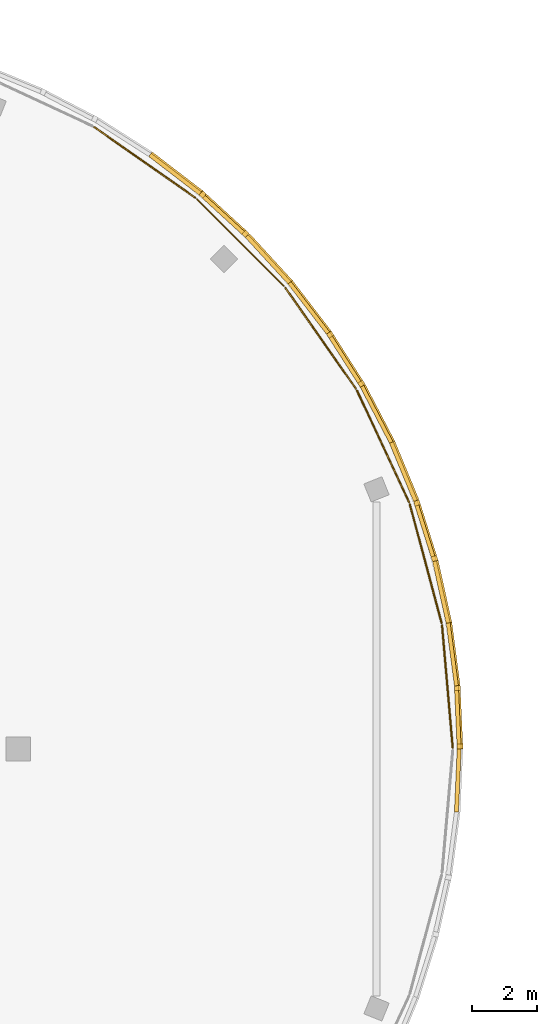
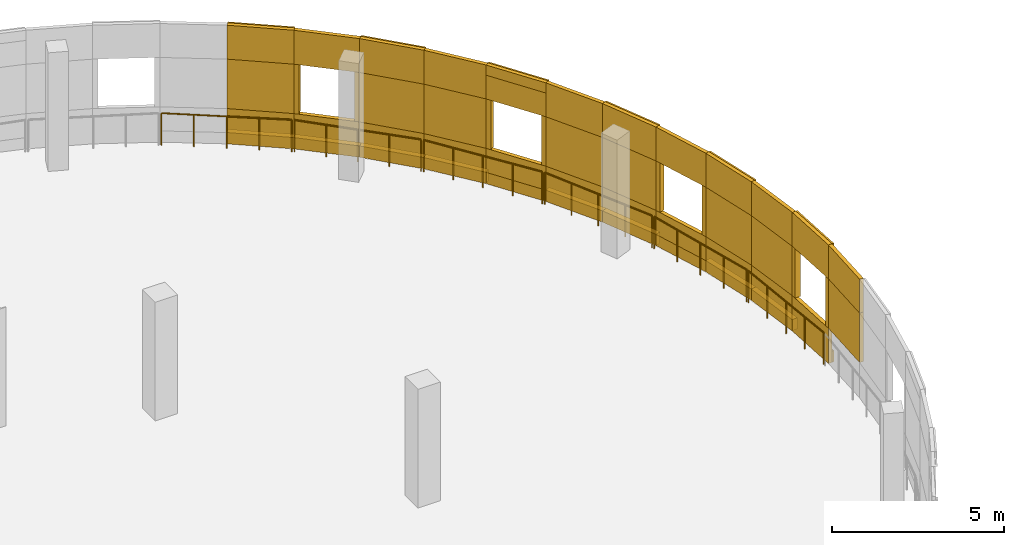
# One storey, part 131 of 132: 56 coverings, 6 railings.
"""IFC4 building model written with IfcOpenShell, lengths in metres."""

from ifc_helpers import new_model, si_unit, direction, frame, origin, origin_2d, place, context, subcontext, project, spatial, rectangle, circle, extrude, material, layer, layer_set, type_object, element, save


model = new_model("IFC4")

# Units and contexts
model_context = context("Model", 3, precision=1e-05, world=origin(), true_north=direction((0.0, 1.0)))
body_context = subcontext(model_context, "Body", "Model", "MODEL_VIEW")
ifc_project = project(units=[si_unit("LENGTHUNIT", "METRE"), si_unit("AREAUNIT", "SQUARE_METRE"), si_unit("VOLUMEUNIT", "CUBIC_METRE"), si_unit("PLANEANGLEUNIT", "RADIAN"), si_unit("MASSUNIT", "GRAM", prefix="KILO")], contexts=[model_context])

# Site, building, storey
site_placement = place(None, origin())
site = spatial("IfcSite", under=ifc_project, at=site_placement, CompositionType="ELEMENT")
building_placement = place(site_placement, origin())
building = spatial("IfcBuilding", under=site, at=building_placement, Name="Deido Ridge Mobility Hub", CompositionType="ELEMENT")
storey_placement = place(building_placement, frame((0.0, 0.0, 8.39990234375)))
storey = spatial("IfcBuildingStorey", under=building, at=storey_placement, Name="L02", CompositionType="ELEMENT", Elevation=8.39990234375)

# Coverings
ifc_material_1 = material(Name="Fired clay brick masonry", Category="masonry")
ifc_layer = layer(ifc_material_1, 0.114990234375, Name="Fired clay brick masonry")
ifc_layer_set = layer_set([ifc_layer], Name="Fired clay brick masonry")
covering_type = type_object("IfcCoveringType", Name="COV-BRK-SCREEN-115", PredefinedType="CLADDING", material=ifc_layer_set)
covering_1_placement = place(storey_placement, frame((139.40478515625, 102.521728515625, 3.0), z_axis=(0.0, 0.0, 1.0), x_axis=(0.043601950678, 0.999048982732, 0.0)))
element("IfcCovering", 1, at=covering_1_placement, inside=storey, type_object=covering_type, Name="Open brickwork lintel course BKS1 (L02)", PredefinedType="CLADDING", context=body_context, shape_type="SweptSolid", body=[
    extrude(rectangle(XDim=1.9619140625, YDim=0.125, at=origin_2d()), origin(), (0.0, 0.0, 1.0), 1.199951171875),
])
covering_2_placement = place(storey_placement, frame((139.40478515625, 102.521728515625, 1.25), z_axis=(0.0, 0.0, 1.0), x_axis=(0.043601950678, 0.999048982732, 0.0)))
element("IfcCovering", 2, at=covering_2_placement, inside=storey, type_object=covering_type, Name="Curved raised brickwork pier BKS1 (L02)", PredefinedType="CLADDING", context=body_context, shape_type="SweptSolid", body=[
    extrude(rectangle(XDim=1.9619140625, YDim=0.125, at=origin_2d()), origin(), (0.0, 0.0, 1.0), 1.75),
])
covering_3_placement = place(storey_placement, frame((139.40478515625, 104.478271484375, 0.0), z_axis=(0.0, 0.0, 1.0), x_axis=(-0.043601950678, 0.999048982732, 0.0)))
element("IfcCovering", 3, at=covering_3_placement, inside=storey, type_object=covering_type, Name="Open brickwork spandrel course BKS1 (L02)", PredefinedType="CLADDING", context=body_context, shape_type="SweptSolid", body=[
    extrude(rectangle(XDim=1.9619140625, YDim=0.125, at=origin_2d()), origin(), (0.0, 0.0, 1.0), 1.25),
])
covering_4_placement = place(storey_placement, frame((139.432373046875, 104.4794921875, 0.000244140625), z_axis=(0.0, 0.0, 1.0), x_axis=(-0.043601950678, 0.999048982732, 0.0)))
element("IfcCovering", 4, at=covering_4_placement, inside=storey, type_object=covering_type, Name="Raised brick relief belt BKS1 (L02)", PredefinedType="CLADDING", context=body_context, shape_type="SweptSolid", body=[
    extrude(rectangle(XDim=1.9619140625, YDim=0.179931640625, at=origin_2d()), origin(), (0.0, 0.0, 1.0), 0.39990234375),
])
covering_5_placement = place(storey_placement, frame((139.40478515625, 104.478271484375, 3.0), z_axis=(0.0, 0.0, 1.0), x_axis=(-0.043601950678, 0.999048982732, 0.0)))
element("IfcCovering", 5, at=covering_5_placement, inside=storey, type_object=covering_type, Name="Open brickwork lintel course BKS1 (L02)", PredefinedType="CLADDING", context=body_context, shape_type="SweptSolid", body=[
    extrude(rectangle(XDim=1.9619140625, YDim=0.125, at=origin_2d()), origin(), (0.0, 0.0, 1.0), 1.199951171875),
])
covering_6_placement = place(storey_placement, frame((139.432373046875, 104.4794921875, 3.83984375), z_axis=(0.0, 0.0, 1.0), x_axis=(-0.043601950678, 0.999048982732, 0.0)))
element("IfcCovering", 6, at=covering_6_placement, inside=storey, type_object=covering_type, Name="Raised brick relief cornice BKS1 (L02)", PredefinedType="CLADDING", context=body_context, shape_type="SweptSolid", body=[
    extrude(rectangle(XDim=1.9619140625, YDim=0.179931640625, at=origin_2d()), origin(), (0.0, 0.0, 1.0), 0.360107421875),
])
for number, where, z_axis, x_axis, name in (
    (7, (139.4716796875, 103.5791015625, 1.25), (0.0, 0.0, 1.0), (-0.043601950678, 0.999048982732, 0.0), "Curved brick jamb nib BKS1 (L02)"),
    (8, (139.39306640625, 105.379638671875, 1.25), (0.0, 0.0, 1.0), (-0.043601950678, 0.999048982732, 0.0), "Curved brick jamb nib BKS1 (L02)"),
):
    element("IfcCovering", number, at=place(storey_placement, frame(where, z_axis=z_axis, x_axis=x_axis)), inside=storey, type_object=covering_type, Name=name, PredefinedType="CLADDING", context=body_context, shape_type="SweptSolid", body=[
        extrude(rectangle(XDim=0.152099609375, YDim=0.179931640625, at=origin_2d()), origin(), (0.0, 0.0, 1.0), 1.75),
    ])
covering_7_placement = place(storey_placement, frame((139.234375, 106.42724609375, 0.0), z_axis=(0.0, 0.0, 1.0), x_axis=(-0.130543496177, 0.991442583111, 0.0)))
element("IfcCovering", 9, at=covering_7_placement, inside=storey, type_object=covering_type, Name="Open brickwork spandrel course BKS1 (L02)", PredefinedType="CLADDING", context=body_context, shape_type="SweptSolid", body=[
    extrude(rectangle(XDim=1.9619140625, YDim=0.125, at=origin_2d()), origin(), (0.0, 0.0, 1.0), 1.25),
])
covering_8_placement = place(storey_placement, frame((139.26171875, 106.430908203125, 0.000244140625), z_axis=(0.0, 0.0, 1.0), x_axis=(-0.130543496177, 0.991442583111, 0.0)))
element("IfcCovering", 10, at=covering_8_placement, inside=storey, type_object=covering_type, Name="Raised brick relief belt BKS1 (L02)", PredefinedType="CLADDING", context=body_context, shape_type="SweptSolid", body=[
    extrude(rectangle(XDim=1.9619140625, YDim=0.179931640625, at=origin_2d()), origin(), (0.0, 0.0, 1.0), 0.39990234375),
])
covering_9_placement = place(storey_placement, frame((139.234375, 106.42724609375, 3.0), z_axis=(0.0, 0.0, 1.0), x_axis=(-0.130543496177, 0.991442583111, 0.0)))
element("IfcCovering", 11, at=covering_9_placement, inside=storey, type_object=covering_type, Name="Open brickwork lintel course BKS1 (L02)", PredefinedType="CLADDING", context=body_context, shape_type="SweptSolid", body=[
    extrude(rectangle(XDim=1.9619140625, YDim=0.125, at=origin_2d()), origin(), (0.0, 0.0, 1.0), 1.199951171875),
])
covering_10_placement = place(storey_placement, frame((139.234375, 106.42724609375, 1.25), z_axis=(0.0, 0.0, 1.0), x_axis=(-0.130543496177, 0.991442583111, 0.0)))
element("IfcCovering", 12, at=covering_10_placement, inside=storey, type_object=covering_type, Name="Curved raised brickwork pier BKS1 (L02)", PredefinedType="CLADDING", context=body_context, shape_type="SweptSolid", body=[
    extrude(rectangle(XDim=1.9619140625, YDim=0.125, at=origin_2d()), origin(), (0.0, 0.0, 1.0), 1.75),
])
covering_11_placement = place(storey_placement, frame((138.89453125, 108.35400390625, 0.0), z_axis=(0.0, 0.0, 1.0), x_axis=(-0.216456653485, 0.976292229387, 0.0)))
element("IfcCovering", 13, at=covering_11_placement, inside=storey, type_object=covering_type, Name="Open brickwork spandrel course BKS1 (L02)", PredefinedType="CLADDING", context=body_context, shape_type="SweptSolid", body=[
    extrude(rectangle(XDim=1.9619140625, YDim=0.125, at=origin_2d()), origin(), (0.0, 0.0, 1.0), 1.25),
])
covering_12_placement = place(storey_placement, frame((138.92138671875, 108.35986328125, 0.000244140625), z_axis=(0.0, 0.0, 1.0), x_axis=(-0.216456653485, 0.976292229387, 0.0)))
element("IfcCovering", 14, at=covering_12_placement, inside=storey, type_object=covering_type, Name="Raised brick relief belt BKS1 (L02)", PredefinedType="CLADDING", context=body_context, shape_type="SweptSolid", body=[
    extrude(rectangle(XDim=1.9619140625, YDim=0.179931640625, at=origin_2d()), origin(), (0.0, 0.0, 1.0), 0.39990234375),
])
covering_13_placement = place(storey_placement, frame((138.89453125, 108.35400390625, 3.0), z_axis=(0.0, 0.0, 1.0), x_axis=(-0.216456653485, 0.976292229387, 0.0)))
element("IfcCovering", 15, at=covering_13_placement, inside=storey, type_object=covering_type, Name="Open brickwork lintel course BKS1 (L02)", PredefinedType="CLADDING", context=body_context, shape_type="SweptSolid", body=[
    extrude(rectangle(XDim=1.9619140625, YDim=0.125, at=origin_2d()), origin(), (0.0, 0.0, 1.0), 1.199951171875),
])
covering_14_placement = place(storey_placement, frame((138.92138671875, 108.35986328125, 3.83984375), z_axis=(0.0, 0.0, 1.0), x_axis=(-0.216456653485, 0.976292229387, 0.0)))
element("IfcCovering", 16, at=covering_14_placement, inside=storey, type_object=covering_type, Name="Raised brick relief cornice BKS1 (L02)", PredefinedType="CLADDING", context=body_context, shape_type="SweptSolid", body=[
    extrude(rectangle(XDim=1.9619140625, YDim=0.179931640625, at=origin_2d()), origin(), (0.0, 0.0, 1.0), 0.360107421875),
])
covering_15_placement = place(storey_placement, frame((138.92138671875, 108.35986328125, 1.25), z_axis=(0.0, 0.0, 1.0), x_axis=(-0.216456653485, 0.976292229387, 0.0)))
element("IfcCovering", 17, at=covering_15_placement, inside=storey, type_object=covering_type, Name="Curved raised brickwork pier BKS1 (L02)", PredefinedType="CLADDING", context=body_context, shape_type="SweptSolid", body=[
    extrude(rectangle(XDim=1.9619140625, YDim=0.179931640625, at=origin_2d()), origin(), (0.0, 0.0, 1.0), 1.75),
])
covering_16_placement = place(storey_placement, frame((138.38818359375, 110.24365234375, 0.0), z_axis=(0.0, 0.0, 1.0), x_axis=(-0.300672508319, 0.95372744678, 0.0)))
element("IfcCovering", 18, at=covering_16_placement, inside=storey, type_object=covering_type, Name="Open brickwork spandrel course BKS1 (L02)", PredefinedType="CLADDING", context=body_context, shape_type="SweptSolid", body=[
    extrude(rectangle(XDim=1.9619140625, YDim=0.125, at=origin_2d()), origin(), (0.0, 0.0, 1.0), 1.25),
])
covering_17_placement = place(storey_placement, frame((138.414306640625, 110.251953125, 0.000244140625), z_axis=(0.0, 0.0, 1.0), x_axis=(-0.300672508319, 0.95372744678, 0.0)))
element("IfcCovering", 19, at=covering_17_placement, inside=storey, type_object=covering_type, Name="Raised brick relief belt BKS1 (L02)", PredefinedType="CLADDING", context=body_context, shape_type="SweptSolid", body=[
    extrude(rectangle(XDim=1.9619140625, YDim=0.179931640625, at=origin_2d()), origin(), (0.0, 0.0, 1.0), 0.39990234375),
])
covering_18_placement = place(storey_placement, frame((138.38818359375, 110.24365234375, 3.0), z_axis=(0.0, 0.0, 1.0), x_axis=(-0.300672508319, 0.95372744678, 0.0)))
element("IfcCovering", 20, at=covering_18_placement, inside=storey, type_object=covering_type, Name="Open brickwork lintel course BKS1 (L02)", PredefinedType="CLADDING", context=body_context, shape_type="SweptSolid", body=[
    extrude(rectangle(XDim=1.9619140625, YDim=0.125, at=origin_2d()), origin(), (0.0, 0.0, 1.0), 1.199951171875),
])
for number, where, z_axis, x_axis, name in (
    (21, (138.685302734375, 109.392578125, 1.25), (0.0, 0.0, 1.0), (-0.300672508319, 0.95372744678, 0.0), "Curved brick jamb nib BKS1 (L02)"),
    (22, (138.1435546875, 111.111328125, 1.25), (0.0, 0.0, 1.0), (-0.300672508319, 0.95372744678, 0.0), "Curved brick jamb nib BKS1 (L02)"),
):
    element("IfcCovering", number, at=place(storey_placement, frame(where, z_axis=z_axis, x_axis=x_axis)), inside=storey, type_object=covering_type, Name=name, PredefinedType="CLADDING", context=body_context, shape_type="SweptSolid", body=[
        extrude(rectangle(XDim=0.152099609375, YDim=0.179931640625, at=origin_2d()), origin(), (0.0, 0.0, 1.0), 1.75),
    ])
covering_19_placement = place(storey_placement, frame((137.718994140625, 112.08203125, 0.0), z_axis=(0.0, 0.0, 1.0), x_axis=(-0.382699557047, 0.923872853285, 0.0)))
element("IfcCovering", 23, at=covering_19_placement, inside=storey, type_object=covering_type, Name="Open brickwork spandrel course BKS1 (L02)", PredefinedType="CLADDING", context=body_context, shape_type="SweptSolid", body=[
    extrude(rectangle(XDim=1.9619140625, YDim=0.125, at=origin_2d()), origin(), (0.0, 0.0, 1.0), 1.25),
])
covering_20_placement = place(storey_placement, frame((137.744384765625, 112.0927734375, 0.000244140625), z_axis=(0.0, 0.0, 1.0), x_axis=(-0.382699557047, 0.923872853285, 0.0)))
element("IfcCovering", 24, at=covering_20_placement, inside=storey, type_object=covering_type, Name="Raised brick relief belt BKS1 (L02)", PredefinedType="CLADDING", context=body_context, shape_type="SweptSolid", body=[
    extrude(rectangle(XDim=1.9619140625, YDim=0.179931640625, at=origin_2d()), origin(), (0.0, 0.0, 1.0), 0.39990234375),
])
covering_21_placement = place(storey_placement, frame((137.718994140625, 112.08203125, 3.0), z_axis=(0.0, 0.0, 1.0), x_axis=(-0.382699557047, 0.923872853285, 0.0)))
element("IfcCovering", 25, at=covering_21_placement, inside=storey, type_object=covering_type, Name="Open brickwork lintel course BKS1 (L02)", PredefinedType="CLADDING", context=body_context, shape_type="SweptSolid", body=[
    extrude(rectangle(XDim=1.9619140625, YDim=0.125, at=origin_2d()), origin(), (0.0, 0.0, 1.0), 1.199951171875),
])
covering_22_placement = place(storey_placement, frame((137.744384765625, 112.0927734375, 3.83984375), z_axis=(0.0, 0.0, 1.0), x_axis=(-0.382699557047, 0.923872853285, 0.0)))
element("IfcCovering", 26, at=covering_22_placement, inside=storey, type_object=covering_type, Name="Raised brick relief cornice BKS1 (L02)", PredefinedType="CLADDING", context=body_context, shape_type="SweptSolid", body=[
    extrude(rectangle(XDim=1.9619140625, YDim=0.179931640625, at=origin_2d()), origin(), (0.0, 0.0, 1.0), 0.360107421875),
])
covering_23_placement = place(storey_placement, frame((137.744384765625, 112.0927734375, 1.25), z_axis=(0.0, 0.0, 1.0), x_axis=(-0.382699557047, 0.923872853285, 0.0)))
element("IfcCovering", 27, at=covering_23_placement, inside=storey, type_object=covering_type, Name="Curved raised brickwork pier BKS1 (L02)", PredefinedType="CLADDING", context=body_context, shape_type="SweptSolid", body=[
    extrude(rectangle(XDim=1.9619140625, YDim=0.179931640625, at=origin_2d()), origin(), (0.0, 0.0, 1.0), 1.75),
])
covering_24_placement = place(storey_placement, frame((136.892333984375, 113.855224609375, 0.0), z_axis=(0.0, 0.0, 1.0), x_axis=(-0.461733131905, 0.887018892077, 0.0)))
element("IfcCovering", 28, at=covering_24_placement, inside=storey, type_object=covering_type, Name="Open brickwork spandrel course BKS1 (L02)", PredefinedType="CLADDING", context=body_context, shape_type="SweptSolid", body=[
    extrude(rectangle(XDim=1.9619140625, YDim=0.125, at=origin_2d()), origin(), (0.0, 0.0, 1.0), 1.25),
])
covering_25_placement = place(storey_placement, frame((136.916748046875, 113.867919921875, 0.000244140625), z_axis=(0.0, 0.0, 1.0), x_axis=(-0.461733131905, 0.887018892077, 0.0)))
element("IfcCovering", 29, at=covering_25_placement, inside=storey, type_object=covering_type, Name="Raised brick relief belt BKS1 (L02)", PredefinedType="CLADDING", context=body_context, shape_type="SweptSolid", body=[
    extrude(rectangle(XDim=1.9619140625, YDim=0.179931640625, at=origin_2d()), origin(), (0.0, 0.0, 1.0), 0.39990234375),
])
covering_26_placement = place(storey_placement, frame((136.892333984375, 113.855224609375, 3.0), z_axis=(0.0, 0.0, 1.0), x_axis=(-0.461733131905, 0.887018892077, 0.0)))
element("IfcCovering", 30, at=covering_26_placement, inside=storey, type_object=covering_type, Name="Open brickwork lintel course BKS1 (L02)", PredefinedType="CLADDING", context=body_context, shape_type="SweptSolid", body=[
    extrude(rectangle(XDim=1.9619140625, YDim=0.125, at=origin_2d()), origin(), (0.0, 0.0, 1.0), 1.199951171875),
])
covering_27_placement = place(storey_placement, frame((136.892333984375, 113.855224609375, 1.25), z_axis=(0.0, 0.0, 1.0), x_axis=(-0.461733131905, 0.887018892077, 0.0)))
element("IfcCovering", 31, at=covering_27_placement, inside=storey, type_object=covering_type, Name="Curved raised brickwork pier BKS1 (L02)", PredefinedType="CLADDING", context=body_context, shape_type="SweptSolid", body=[
    extrude(rectangle(XDim=1.9619140625, YDim=0.125, at=origin_2d()), origin(), (0.0, 0.0, 1.0), 1.75),
])
covering_28_placement = place(storey_placement, frame((135.9140625, 115.549560546875, 0.0), z_axis=(0.0, 0.0, 1.0), x_axis=(-0.537314328223, 0.843382068037, 0.0)))
element("IfcCovering", 32, at=covering_28_placement, inside=storey, type_object=covering_type, Name="Open brickwork spandrel course BKS1 (L02)", PredefinedType="CLADDING", context=body_context, shape_type="SweptSolid", body=[
    extrude(rectangle(XDim=1.9619140625, YDim=0.125, at=origin_2d()), origin(), (0.0, 0.0, 1.0), 1.25),
])
covering_29_placement = place(storey_placement, frame((135.937255859375, 115.564208984375, 0.000244140625), z_axis=(0.0, 0.0, 1.0), x_axis=(-0.537314328223, 0.843382068037, 0.0)))
element("IfcCovering", 33, at=covering_29_placement, inside=storey, type_object=covering_type, Name="Raised brick relief belt BKS1 (L02)", PredefinedType="CLADDING", context=body_context, shape_type="SweptSolid", body=[
    extrude(rectangle(XDim=1.9619140625, YDim=0.179931640625, at=origin_2d()), origin(), (0.0, 0.0, 1.0), 0.39990234375),
])
covering_30_placement = place(storey_placement, frame((135.9140625, 115.549560546875, 3.0), z_axis=(0.0, 0.0, 1.0), x_axis=(-0.537314328223, 0.843382068037, 0.0)))
element("IfcCovering", 34, at=covering_30_placement, inside=storey, type_object=covering_type, Name="Open brickwork lintel course BKS1 (L02)", PredefinedType="CLADDING", context=body_context, shape_type="SweptSolid", body=[
    extrude(rectangle(XDim=1.9619140625, YDim=0.125, at=origin_2d()), origin(), (0.0, 0.0, 1.0), 1.199951171875),
])
covering_31_placement = place(storey_placement, frame((135.937255859375, 115.564208984375, 3.83984375), z_axis=(0.0, 0.0, 1.0), x_axis=(-0.537314328223, 0.843382068037, 0.0)))
element("IfcCovering", 35, at=covering_31_placement, inside=storey, type_object=covering_type, Name="Raised brick relief cornice BKS1 (L02)", PredefinedType="CLADDING", context=body_context, shape_type="SweptSolid", body=[
    extrude(rectangle(XDim=1.9619140625, YDim=0.179931640625, at=origin_2d()), origin(), (0.0, 0.0, 1.0), 0.360107421875),
])
for number, where, z_axis, x_axis, name in (
    (36, (136.42138671875, 114.804443359375, 1.25), (0.0, 0.0, 1.0), (-0.537314328223, 0.843382068037, 0.0), "Curved brick jamb nib BKS1 (L02)"),
    (37, (135.453125, 116.32421875, 1.25), (0.0, 0.0, 1.0), (-0.537314328223, 0.843382068037, 0.0), "Curved brick jamb nib BKS1 (L02)"),
):
    element("IfcCovering", number, at=place(storey_placement, frame(where, z_axis=z_axis, x_axis=x_axis)), inside=storey, type_object=covering_type, Name=name, PredefinedType="CLADDING", context=body_context, shape_type="SweptSolid", body=[
        extrude(rectangle(XDim=0.152099609375, YDim=0.179931640625, at=origin_2d()), origin(), (0.0, 0.0, 1.0), 1.75),
    ])
covering_32_placement = place(storey_placement, frame((134.7919921875, 117.152099609375, 0.0), z_axis=(0.0, 0.0, 1.0), x_axis=(-0.608761429009, 0.793353340291, 0.0)))
element("IfcCovering", 38, at=covering_32_placement, inside=storey, type_object=covering_type, Name="Open brickwork spandrel course BKS1 (L02)", PredefinedType="CLADDING", context=body_context, shape_type="SweptSolid", body=[
    extrude(rectangle(XDim=1.9619140625, YDim=0.125, at=origin_2d()), origin(), (0.0, 0.0, 1.0), 1.25),
])
covering_33_placement = place(storey_placement, frame((134.813720703125, 117.1689453125, 0.000244140625), z_axis=(0.0, 0.0, 1.0), x_axis=(-0.608761429009, 0.793353340291, 0.0)))
element("IfcCovering", 39, at=covering_33_placement, inside=storey, type_object=covering_type, Name="Raised brick relief belt BKS1 (L02)", PredefinedType="CLADDING", context=body_context, shape_type="SweptSolid", body=[
    extrude(rectangle(XDim=1.9619140625, YDim=0.179931640625, at=origin_2d()), origin(), (0.0, 0.0, 1.0), 0.39990234375),
])
covering_34_placement = place(storey_placement, frame((134.7919921875, 117.152099609375, 3.0), z_axis=(0.0, 0.0, 1.0), x_axis=(-0.608761429009, 0.793353340291, 0.0)))
element("IfcCovering", 40, at=covering_34_placement, inside=storey, type_object=covering_type, Name="Open brickwork lintel course BKS1 (L02)", PredefinedType="CLADDING", context=body_context, shape_type="SweptSolid", body=[
    extrude(rectangle(XDim=1.9619140625, YDim=0.125, at=origin_2d()), origin(), (0.0, 0.0, 1.0), 1.199951171875),
])
covering_35_placement = place(storey_placement, frame((134.7919921875, 117.152099609375, 1.25), z_axis=(0.0, 0.0, 1.0), x_axis=(-0.608761429009, 0.793353340291, 0.0)))
element("IfcCovering", 41, at=covering_35_placement, inside=storey, type_object=covering_type, Name="Curved raised brickwork pier BKS1 (L02)", PredefinedType="CLADDING", context=body_context, shape_type="SweptSolid", body=[
    extrude(rectangle(XDim=1.9619140625, YDim=0.125, at=origin_2d()), origin(), (0.0, 0.0, 1.0), 1.75),
])
covering_36_placement = place(storey_placement, frame((133.5341796875, 118.65087890625, 0.0), z_axis=(0.0, 0.0, 1.0), x_axis=(-0.675577339596, 0.737289127971, 0.0)))
element("IfcCovering", 42, at=covering_36_placement, inside=storey, type_object=covering_type, Name="Open brickwork spandrel course BKS1 (L02)", PredefinedType="CLADDING", context=body_context, shape_type="SweptSolid", body=[
    extrude(rectangle(XDim=1.9619140625, YDim=0.125, at=origin_2d()), origin(), (0.0, 0.0, 1.0), 1.25),
])
covering_37_placement = place(storey_placement, frame((133.5546875, 118.66943359375, 0.000244140625), z_axis=(0.0, 0.0, 1.0), x_axis=(-0.675577339596, 0.737289127971, 0.0)))
element("IfcCovering", 43, at=covering_37_placement, inside=storey, type_object=covering_type, Name="Raised brick relief belt BKS1 (L02)", PredefinedType="CLADDING", context=body_context, shape_type="SweptSolid", body=[
    extrude(rectangle(XDim=1.9619140625, YDim=0.179931640625, at=origin_2d()), origin(), (0.0, 0.0, 1.0), 0.39990234375),
])
covering_38_placement = place(storey_placement, frame((133.5341796875, 118.65087890625, 3.0), z_axis=(0.0, 0.0, 1.0), x_axis=(-0.675577339596, 0.737289127971, 0.0)))
element("IfcCovering", 44, at=covering_38_placement, inside=storey, type_object=covering_type, Name="Open brickwork lintel course BKS1 (L02)", PredefinedType="CLADDING", context=body_context, shape_type="SweptSolid", body=[
    extrude(rectangle(XDim=1.9619140625, YDim=0.125, at=origin_2d()), origin(), (0.0, 0.0, 1.0), 1.199951171875),
])
covering_39_placement = place(storey_placement, frame((133.5546875, 118.66943359375, 3.83984375), z_axis=(0.0, 0.0, 1.0), x_axis=(-0.675577339596, 0.737289127971, 0.0)))
element("IfcCovering", 45, at=covering_39_placement, inside=storey, type_object=covering_type, Name="Raised brick relief cornice BKS1 (L02)", PredefinedType="CLADDING", context=body_context, shape_type="SweptSolid", body=[
    extrude(rectangle(XDim=1.9619140625, YDim=0.179931640625, at=origin_2d()), origin(), (0.0, 0.0, 1.0), 0.360107421875),
])
covering_40_placement = place(storey_placement, frame((133.5546875, 118.66943359375, 1.25), z_axis=(0.0, 0.0, 1.0), x_axis=(-0.675577339596, 0.737289127971, 0.0)))
element("IfcCovering", 46, at=covering_40_placement, inside=storey, type_object=covering_type, Name="Curved raised brickwork pier BKS1 (L02)", PredefinedType="CLADDING", context=body_context, shape_type="SweptSolid", body=[
    extrude(rectangle(XDim=1.9619140625, YDim=0.179931640625, at=origin_2d()), origin(), (0.0, 0.0, 1.0), 1.75),
])
covering_41_placement = place(storey_placement, frame((132.15087890625, 120.0341796875, 0.0), z_axis=(0.0, 0.0, 1.0), x_axis=(-0.737289127971, 0.675577339596, 0.0)))
element("IfcCovering", 47, at=covering_41_placement, inside=storey, type_object=covering_type, Name="Open brickwork spandrel course BKS1 (L02)", PredefinedType="CLADDING", context=body_context, shape_type="SweptSolid", body=[
    extrude(rectangle(XDim=1.9619140625, YDim=0.125, at=origin_2d()), origin(), (0.0, 0.0, 1.0), 1.25),
])
covering_42_placement = place(storey_placement, frame((132.16943359375, 120.0546875, 0.000244140625), z_axis=(0.0, 0.0, 1.0), x_axis=(-0.737289127971, 0.675577339596, 0.0)))
element("IfcCovering", 48, at=covering_42_placement, inside=storey, type_object=covering_type, Name="Raised brick relief belt BKS1 (L02)", PredefinedType="CLADDING", context=body_context, shape_type="SweptSolid", body=[
    extrude(rectangle(XDim=1.9619140625, YDim=0.179931640625, at=origin_2d()), origin(), (0.0, 0.0, 1.0), 0.39990234375),
])
covering_43_placement = place(storey_placement, frame((132.15087890625, 120.0341796875, 3.0), z_axis=(0.0, 0.0, 1.0), x_axis=(-0.737289127971, 0.675577339596, 0.0)))
element("IfcCovering", 49, at=covering_43_placement, inside=storey, type_object=covering_type, Name="Open brickwork lintel course BKS1 (L02)", PredefinedType="CLADDING", context=body_context, shape_type="SweptSolid", body=[
    extrude(rectangle(XDim=1.9619140625, YDim=0.125, at=origin_2d()), origin(), (0.0, 0.0, 1.0), 1.199951171875),
])
for number, where, z_axis, x_axis, name in (
    (50, (132.833740234375, 119.44580078125, 1.25), (0.0, 0.0, 1.0), (-0.737289127971, 0.675577339596, 0.0), "Curved brick jamb nib BKS1 (L02)"),
    (51, (131.505126953125, 120.663330078125, 1.25), (0.0, 0.0, 1.0), (-0.737289127971, 0.675577339596, 0.0), "Curved brick jamb nib BKS1 (L02)"),
):
    element("IfcCovering", number, at=place(storey_placement, frame(where, z_axis=z_axis, x_axis=x_axis)), inside=storey, type_object=covering_type, Name=name, PredefinedType="CLADDING", context=body_context, shape_type="SweptSolid", body=[
        extrude(rectangle(XDim=0.152099609375, YDim=0.179931640625, at=origin_2d()), origin(), (0.0, 0.0, 1.0), 1.75),
    ])
covering_44_placement = place(storey_placement, frame((130.652099609375, 121.2919921875, 0.0), z_axis=(0.0, 0.0, 1.0), x_axis=(-0.793353340291, 0.608761429009, 0.0)))
element("IfcCovering", 52, at=covering_44_placement, inside=storey, type_object=covering_type, Name="Open brickwork spandrel course BKS1 (L02)", PredefinedType="CLADDING", context=body_context, shape_type="SweptSolid", body=[
    extrude(rectangle(XDim=1.9619140625, YDim=0.125, at=origin_2d()), origin(), (0.0, 0.0, 1.0), 1.25),
])
covering_45_placement = place(storey_placement, frame((130.6689453125, 121.313720703125, 0.000244140625), z_axis=(0.0, 0.0, 1.0), x_axis=(-0.793353340291, 0.608761429009, 0.0)))
element("IfcCovering", 53, at=covering_45_placement, inside=storey, type_object=covering_type, Name="Raised brick relief belt BKS1 (L02)", PredefinedType="CLADDING", context=body_context, shape_type="SweptSolid", body=[
    extrude(rectangle(XDim=1.9619140625, YDim=0.179931640625, at=origin_2d()), origin(), (0.0, 0.0, 1.0), 0.39990234375),
])
covering_46_placement = place(storey_placement, frame((130.652099609375, 121.2919921875, 3.0), z_axis=(0.0, 0.0, 1.0), x_axis=(-0.793353340291, 0.608761429009, 0.0)))
element("IfcCovering", 54, at=covering_46_placement, inside=storey, type_object=covering_type, Name="Open brickwork lintel course BKS1 (L02)", PredefinedType="CLADDING", context=body_context, shape_type="SweptSolid", body=[
    extrude(rectangle(XDim=1.9619140625, YDim=0.125, at=origin_2d()), origin(), (0.0, 0.0, 1.0), 1.199951171875),
])
covering_47_placement = place(storey_placement, frame((130.6689453125, 121.313720703125, 3.83984375), z_axis=(0.0, 0.0, 1.0), x_axis=(-0.793353340291, 0.608761429009, 0.0)))
element("IfcCovering", 55, at=covering_47_placement, inside=storey, type_object=covering_type, Name="Raised brick relief cornice BKS1 (L02)", PredefinedType="CLADDING", context=body_context, shape_type="SweptSolid", body=[
    extrude(rectangle(XDim=1.9619140625, YDim=0.179931640625, at=origin_2d()), origin(), (0.0, 0.0, 1.0), 0.360107421875),
])
covering_48_placement = place(storey_placement, frame((130.6689453125, 121.313720703125, 1.25), z_axis=(0.0, 0.0, 1.0), x_axis=(-0.793353340291, 0.608761429009, 0.0)))
element("IfcCovering", 56, at=covering_48_placement, inside=storey, type_object=covering_type, Name="Curved raised brickwork pier BKS1 (L02)", PredefinedType="CLADDING", context=body_context, shape_type="SweptSolid", body=[
    extrude(rectangle(XDim=1.9619140625, YDim=0.179931640625, at=origin_2d()), origin(), (0.0, 0.0, 1.0), 1.75),
])

# Railings
ifc_material_2 = material(Name="Galvanised steel work", Category="steel")
railing_type = type_object("IfcRailingType", Name="RL-GRD-EXT-1150", PredefinedType="GUARDRAIL", material=ifc_material_2)
railing_1_placement = place(storey_placement, frame((139.24658203125, 103.539794921875, 0.0)))
element("IfcRailing", 57, at=railing_1_placement, inside=storey, type_object=railing_type, Name="Parking drum perimeter guard (L02)", PredefinedType="GUARDRAIL", context=body_context, shape_type="SweptSolid", body=[
    extrude(circle(Radius=0.02392578125, at=origin_2d()), frame((0.0, 0.0, 1.1259765625), z_axis=(-0.08715100469, 0.996195112607, 0.0), x_axis=(-0.996195112607, -0.08715100469, 0.0)), (0.0, 0.0, 1.0), 3.798583984375),
    extrude(circle(Radius=0.02099609375, at=origin_2d()), origin(), (0.0, 0.0, 1.0), 1.101806640625),
    extrude(circle(Radius=0.02099609375, at=origin_2d()), frame((-0.082763671875, 0.946044921875, 0.0)), (0.0, 0.0, 1.0), 1.101806640625),
    extrude(circle(Radius=0.02099609375, at=origin_2d()), frame((-0.16552734375, 1.89208984375, 0.0)), (0.0, 0.0, 1.0), 1.101806640625),
    extrude(circle(Radius=0.02099609375, at=origin_2d()), frame((-0.248291015625, 2.838134765625, 0.0)), (0.0, 0.0, 1.0), 1.101806640625),
    extrude(circle(Radius=0.02099609375, at=origin_2d()), frame((-0.3310546875, 3.7841796875, 0.0)), (0.0, 0.0, 1.0), 1.101806640625),
])
railing_2_placement = place(storey_placement, frame((138.901611328125, 107.40234375, 0.0)))
element("IfcRailing", 58, at=railing_2_placement, inside=storey, type_object=railing_type, Name="Parking drum perimeter guard (L02)", PredefinedType="GUARDRAIL", context=body_context, shape_type="SweptSolid", body=[
    extrude(circle(Radius=0.02392578125, at=origin_2d()), frame((0.0, 0.0, 1.1259765625), z_axis=(-0.258774639064, 0.965937723757, 0.0), x_axis=(-0.965937723757, -0.258774639064, 0.0)), (0.0, 0.0, 1.0), 3.79833984375),
    extrude(circle(Radius=0.02099609375, at=origin_2d()), origin(), (0.0, 0.0, 1.0), 1.101806640625),
    extrude(circle(Radius=0.02099609375, at=origin_2d()), frame((-0.24560546875, 0.917236328125, 0.0)), (0.0, 0.0, 1.0), 1.101806640625),
    extrude(circle(Radius=0.02099609375, at=origin_2d()), frame((-0.491455078125, 1.83447265625, 0.0)), (0.0, 0.0, 1.0), 1.101806640625),
    extrude(circle(Radius=0.02099609375, at=origin_2d()), frame((-0.7373046875, 2.751708984375, 0.0)), (0.0, 0.0, 1.0), 1.101806640625),
    extrude(circle(Radius=0.02099609375, at=origin_2d()), frame((-0.98291015625, 3.6689453125, 0.0)), (0.0, 0.0, 1.0), 1.101806640625),
])
railing_3_placement = place(storey_placement, frame((137.891357421875, 111.146240234375, 0.0)))
element("IfcRailing", 59, at=railing_3_placement, inside=storey, type_object=railing_type, Name="Parking drum perimeter guard (L02)", PredefinedType="GUARDRAIL", context=body_context, shape_type="SweptSolid", body=[
    extrude(circle(Radius=0.02392578125, at=origin_2d()), frame((0.0, 0.0, 1.1259765625), z_axis=(-0.422674330627, 0.906281639574, 0.0), x_axis=(-0.906281639574, -0.422674330627, 0.0)), (0.0, 0.0, 1.0), 3.79833984375),
    extrude(circle(Radius=0.02099609375, at=origin_2d()), origin(), (0.0, 0.0, 1.0), 1.101806640625),
    extrude(circle(Radius=0.02099609375, at=origin_2d()), frame((-0.4013671875, 0.860595703125, 0.0)), (0.0, 0.0, 1.0), 1.101806640625),
    extrude(circle(Radius=0.02099609375, at=origin_2d()), frame((-0.802734375, 1.72119140625, 0.0)), (0.0, 0.0, 1.0), 1.101806640625),
    extrude(circle(Radius=0.02099609375, at=origin_2d()), frame((-1.2041015625, 2.581787109375, 0.0)), (0.0, 0.0, 1.0), 1.101806640625),
    extrude(circle(Radius=0.02099609375, at=origin_2d()), frame((-1.60546875, 3.4423828125, 0.0)), (0.0, 0.0, 1.0), 1.101806640625),
])
railing_4_placement = place(storey_placement, frame((136.24609375, 114.65771484375, 0.0)))
element("IfcRailing", 60, at=railing_4_placement, inside=storey, type_object=railing_type, Name="Parking drum perimeter guard (L02)", PredefinedType="GUARDRAIL", context=body_context, shape_type="SweptSolid", body=[
    extrude(circle(Radius=0.02392578125, at=origin_2d()), frame((0.0, 0.0, 1.1259765625), z_axis=(-0.573570179609, 0.819156425271, 0.0), x_axis=(-0.819156425271, -0.573570179609, 0.0)), (0.0, 0.0, 1.0), 3.798583984375),
    extrude(circle(Radius=0.02099609375, at=origin_2d()), origin(), (0.0, 0.0, 1.0), 1.101806640625),
    extrude(circle(Radius=0.02099609375, at=origin_2d()), frame((-0.544677734375, 0.77783203125, 0.0)), (0.0, 0.0, 1.0), 1.101806640625),
    extrude(circle(Radius=0.02099609375, at=origin_2d()), frame((-1.08935546875, 1.5556640625, 0.0)), (0.0, 0.0, 1.0), 1.101806640625),
    extrude(circle(Radius=0.02099609375, at=origin_2d()), frame((-1.634033203125, 2.333740234375, 0.0)), (0.0, 0.0, 1.0), 1.101806640625),
    extrude(circle(Radius=0.02099609375, at=origin_2d()), frame((-2.1787109375, 3.111572265625, 0.0)), (0.0, 0.0, 1.0), 1.101806640625),
])
railing_5_placement = place(storey_placement, frame((134.01611328125, 117.830322265625, 0.0)))
element("IfcRailing", 61, at=railing_5_placement, inside=storey, type_object=railing_type, Name="Parking drum perimeter guard (L02)", PredefinedType="GUARDRAIL", context=body_context, shape_type="SweptSolid", body=[
    extrude(circle(Radius=0.02392578125, at=origin_2d()), frame((0.0, 0.0, 1.1259765625), z_axis=(-0.707106781187, 0.707106781187, 0.0), x_axis=(-0.707106781187, -0.707106781187, 0.0)), (0.0, 0.0, 1.0), 3.79833984375),
    extrude(circle(Radius=0.02099609375, at=origin_2d()), origin(), (0.0, 0.0, 1.0), 1.101806640625),
    extrude(circle(Radius=0.02099609375, at=origin_2d()), frame((-0.67138671875, 0.67138671875, 0.0)), (0.0, 0.0, 1.0), 1.101806640625),
    extrude(circle(Radius=0.02099609375, at=origin_2d()), frame((-1.3427734375, 1.3427734375, 0.0)), (0.0, 0.0, 1.0), 1.101806640625),
    extrude(circle(Radius=0.02099609375, at=origin_2d()), frame((-2.014404296875, 2.014404296875, 0.0)), (0.0, 0.0, 1.0), 1.101806640625),
    extrude(circle(Radius=0.02099609375, at=origin_2d()), frame((-2.685791015625, 2.685791015625, 0.0)), (0.0, 0.0, 1.0), 1.101806640625),
])
railing_6_placement = place(storey_placement, frame((131.269287109375, 120.5673828125, 0.0)))
element("IfcRailing", 62, at=railing_6_placement, inside=storey, type_object=railing_type, Name="Parking drum perimeter guard (L02)", PredefinedType="GUARDRAIL", context=body_context, shape_type="SweptSolid", body=[
    extrude(circle(Radius=0.02392578125, at=origin_2d()), frame((0.0, 0.0, 1.1259765625), z_axis=(-0.819156425271, 0.573570179609, 0.0), x_axis=(-0.573570179609, -0.819156425271, 0.0)), (0.0, 0.0, 1.0), 3.798583984375),
    extrude(circle(Radius=0.02099609375, at=origin_2d()), origin(), (0.0, 0.0, 1.0), 1.101806640625),
    extrude(circle(Radius=0.02099609375, at=origin_2d()), frame((-0.77783203125, 0.544677734375, 0.0)), (0.0, 0.0, 1.0), 1.101806640625),
    extrude(circle(Radius=0.02099609375, at=origin_2d()), frame((-1.5556640625, 1.08935546875, 0.0)), (0.0, 0.0, 1.0), 1.101806640625),
    extrude(circle(Radius=0.02099609375, at=origin_2d()), frame((-2.333740234375, 1.634033203125, 0.0)), (0.0, 0.0, 1.0), 1.101806640625),
    extrude(circle(Radius=0.02099609375, at=origin_2d()), frame((-3.111572265625, 2.1787109375, 0.0)), (0.0, 0.0, 1.0), 1.101806640625),
])

save(model, "model.ifc")
